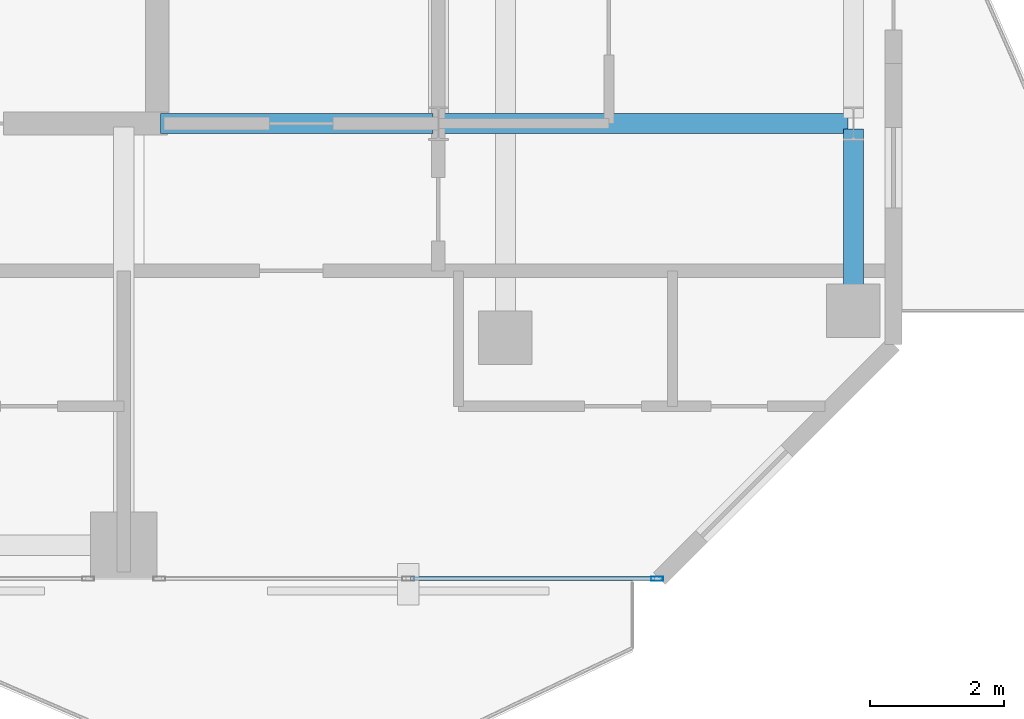
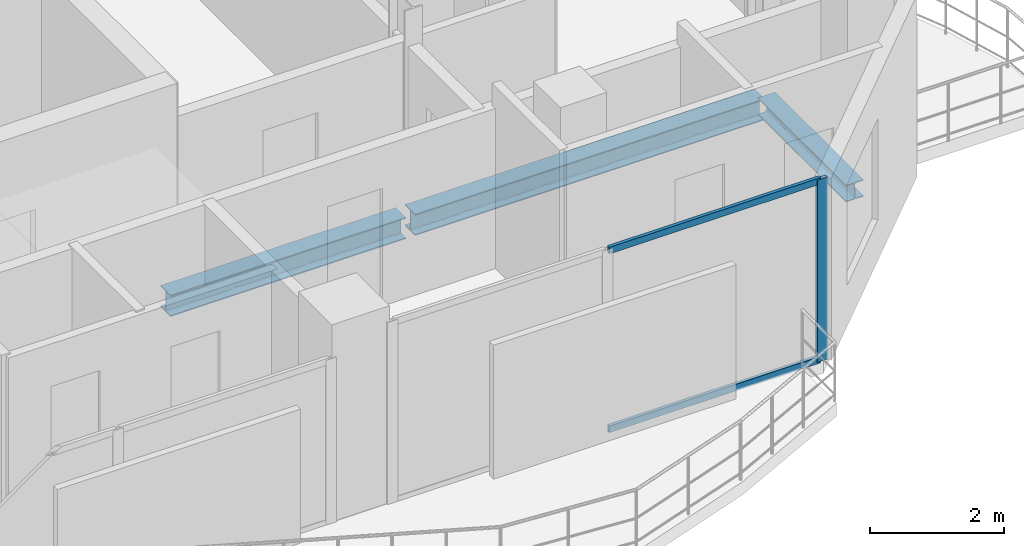
# One storey, part 13 of 24: 3 beams, 3 members, 1 element without a shape of its own.
"""IFC4 building model written with IfcOpenShell, lengths in metres."""

from ifc_helpers import new_model, si_unit, direction, frame, origin, origin_2d, place, context, subcontext, project, spatial, hollow_rectangle, i_section, extrude, material, layer, layer_set, material_profile, profile_set, type_object, element, aggregate, save


model = new_model("IFC4")

# Units and contexts
model_context = context("Model", 3, precision=1e-05, world=origin(), true_north=direction((0.0, 1.0)))
body_context = subcontext(model_context, "Body", "Model", "MODEL_VIEW")
ifc_project = project(units=[si_unit("LENGTHUNIT", "METRE"), si_unit("AREAUNIT", "SQUARE_METRE"), si_unit("VOLUMEUNIT", "CUBIC_METRE"), si_unit("PLANEANGLEUNIT", "RADIAN"), si_unit("MASSUNIT", "GRAM", prefix="KILO")], contexts=[model_context])

# Site, building, storey
site_placement = place(None, origin())
site = spatial("IfcSite", under=ifc_project, at=site_placement, CompositionType="ELEMENT")
building_placement = place(site_placement, origin())
building = spatial("IfcBuilding", under=site, at=building_placement, Name="Catumbela Crestline Tower", CompositionType="ELEMENT")
storey_placement = place(building_placement, frame((0.0, 0.0, 157.8)))
storey = spatial("IfcBuildingStorey", under=building, at=storey_placement, Name="L40", CompositionType="ELEMENT", Elevation=157.8)

# Beams
ifc_material_1 = material(Name="Structural steel S355J2", Category="steel")
ifc_material_profile_1 = material_profile(ifc_material_1, i_section(OverallWidth=0.3, OverallDepth=0.39, WebThickness=0.011, FlangeThickness=0.019, FilletRadius=0.027, at=origin_2d()), Name="HEA 400")
ifc_profile_set_1 = profile_set([ifc_material_profile_1], Name="Structural steel S355J2")
beam_type_1 = type_object("IfcBeamType", Name="BG-HEA400", PredefinedType="BEAM", material=ifc_profile_set_1)
beam_1_placement = place(storey_placement, frame((40.05, 30.8, -0.455), z_axis=(1.0, 0.0, 0.0), x_axis=(0.0, 1.0, 0.0)))
element("IfcBeam", 1, at=beam_1_placement, inside=storey, type_object=beam_type_1, Name="L40 Beam BM-L40-M08", PredefinedType="BEAM", context=body_context, shape_type="SweptSolid", body=[
    extrude(i_section(OverallWidth=0.3, OverallDepth=0.39, WebThickness=0.011, FlangeThickness=0.019, FilletRadius=0.027, at=origin_2d()), origin(), (0.0, 0.0, 1.0), 4.07),
])
beam_2_placement = place(storey_placement, frame((44.28, 30.8, -0.455), z_axis=(1.0, 0.0, 0.0), x_axis=(0.0, 1.0, 0.0)))
element("IfcBeam", 2, at=beam_2_placement, inside=storey, type_object=beam_type_1, Name="L40 Beam BM-L40-M09", PredefinedType="BEAM", context=body_context, shape_type="SweptSolid", body=[
    extrude(i_section(OverallWidth=0.3, OverallDepth=0.39, WebThickness=0.011, FlangeThickness=0.019, FilletRadius=0.027, at=origin_2d()), origin(), (0.0, 0.0, 1.0), 6.04),
])

# Curtain wall, member
ifc_material_2 = material(Name="Aluminium alloy AW-6060-T66", Category="aluminium")
ifc_layer = layer(ifc_material_2, 0.18, Name="Aluminium alloy AW-6060-T66")
ifc_layer_set = layer_set([ifc_layer], Name="Aluminium alloy AW-6060-T66")
curtain_wall_type = type_object("IfcCurtainWallType", Name="CWU-Z3", PredefinedType="USERDEFINED", material=ifc_layer_set)
curtain_wall_placement = place(storey_placement, origin())
curtain_wall = element("IfcCurtainWall", 3, at=curtain_wall_placement, inside=storey, type_object=curtain_wall_type, Name="L40 Unitised Curtain Wall CW-L40-E3S3", ObjectType="UNITISED", PredefinedType="USERDEFINED")
ifc_material_profile_2 = material_profile(ifc_material_2, hollow_rectangle(XDim=0.065, YDim=0.18, WallThickness=0.004, at=origin_2d()), Name="ALU 180x65x4")
ifc_profile_set_2 = profile_set([ifc_material_profile_2], Name="Aluminium alloy AW-6060-T66")
member_type_1 = type_object("IfcMemberType", Name="MUL-180X65", PredefinedType="MULLION", material=ifc_profile_set_2)
member_1_placement = place(storey_placement, frame((47.4675, 24.0, 0.0), z_axis=(0.0, 0.0, 1.0), x_axis=(0.0, 1.0, 0.0)))
member_1 = element("IfcMember", 4, at=member_1_placement, type_object=member_type_1, Name="CWU-Z3 mullion 3", PredefinedType="MULLION", context=body_context, shape_type="SweptSolid", body=[
    extrude(hollow_rectangle(XDim=0.065, YDim=0.18, WallThickness=0.004, at=origin_2d()), origin(), (0.0, 0.0, 1.0), 3.33),
])

# Beam
ifc_material_profile_3 = material_profile(ifc_material_1, i_section(OverallWidth=0.3, OverallDepth=0.31, WebThickness=0.009, FlangeThickness=0.0155, FilletRadius=0.027, at=origin_2d()), Name="HEA 320")
ifc_profile_set_3 = profile_set([ifc_material_profile_3], Name="Structural steel S355J2")
beam_type_2 = type_object("IfcBeamType", Name="BS-HEA320", PredefinedType="SPANDREL", material=ifc_profile_set_3)
beam_3_placement = place(storey_placement, frame((50.4, 28.08, -0.415), z_axis=(0.0, 1.0, 0.0), x_axis=(-1.0, 0.0, 0.0)))
element("IfcBeam", 5, at=beam_3_placement, inside=storey, type_object=beam_type_2, Name="L40 Spandrel SP-L40-SN23", PredefinedType="SPANDREL", context=body_context, shape_type="SweptSolid", body=[
    extrude(i_section(OverallWidth=0.3, OverallDepth=0.31, WebThickness=0.009, FlangeThickness=0.0155, FilletRadius=0.027, at=origin_2d()), origin(), (0.0, 0.0, 1.0), 2.64),
])

# Member
ifc_material_profile_4 = material_profile(ifc_material_2, hollow_rectangle(XDim=0.06, YDim=0.12, WallThickness=0.0035, at=origin_2d()), Name="ALU 120x60x3.5")
ifc_profile_set_4 = profile_set([ifc_material_profile_4], Name="Aluminium alloy AW-6060-T66")
member_type_2 = type_object("IfcMemberType", Name="TRN-120X60", PredefinedType="USERDEFINED", material=ifc_profile_set_4)
member_2_placement = place(storey_placement, frame((43.7825, 24.0, 0.03), z_axis=(1.0, 0.0, 0.0), x_axis=(0.0, 1.0, 0.0)))
member_2 = element("IfcMember", 6, at=member_2_placement, type_object=member_type_2, Name="CWU-Z3 transom 2.1", ObjectType="TRANSOM", PredefinedType="USERDEFINED", context=body_context, shape_type="SweptSolid", body=[
    extrude(hollow_rectangle(XDim=0.06, YDim=0.12, WallThickness=0.0035, at=origin_2d()), origin(), (0.0, 0.0, 1.0), 3.6525),
])

member_3_placement = place(storey_placement, frame((43.7825, 24.0, 3.3), z_axis=(1.0, 0.0, 0.0), x_axis=(0.0, 1.0, 0.0)))
member_3 = element("IfcMember", 7, at=member_3_placement, type_object=member_type_2, Name="CWU-Z3 transom 2.2", ObjectType="TRANSOM", PredefinedType="USERDEFINED", context=body_context, shape_type="SweptSolid", body=[
    extrude(hollow_rectangle(XDim=0.06, YDim=0.12, WallThickness=0.0035, at=origin_2d()), origin(), (0.0, 0.0, 1.0), 3.6525),
])

aggregate(curtain_wall, [member_1, member_2, member_3])

save(model, "model.ifc")
